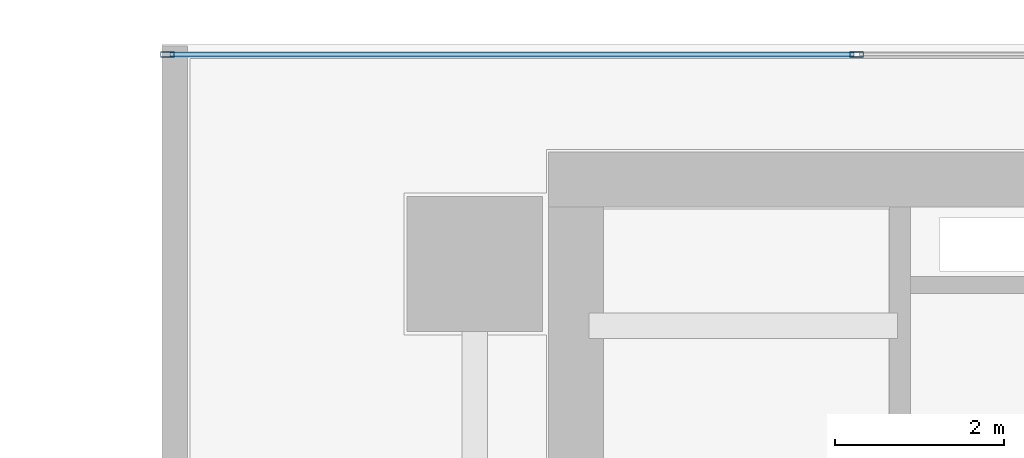
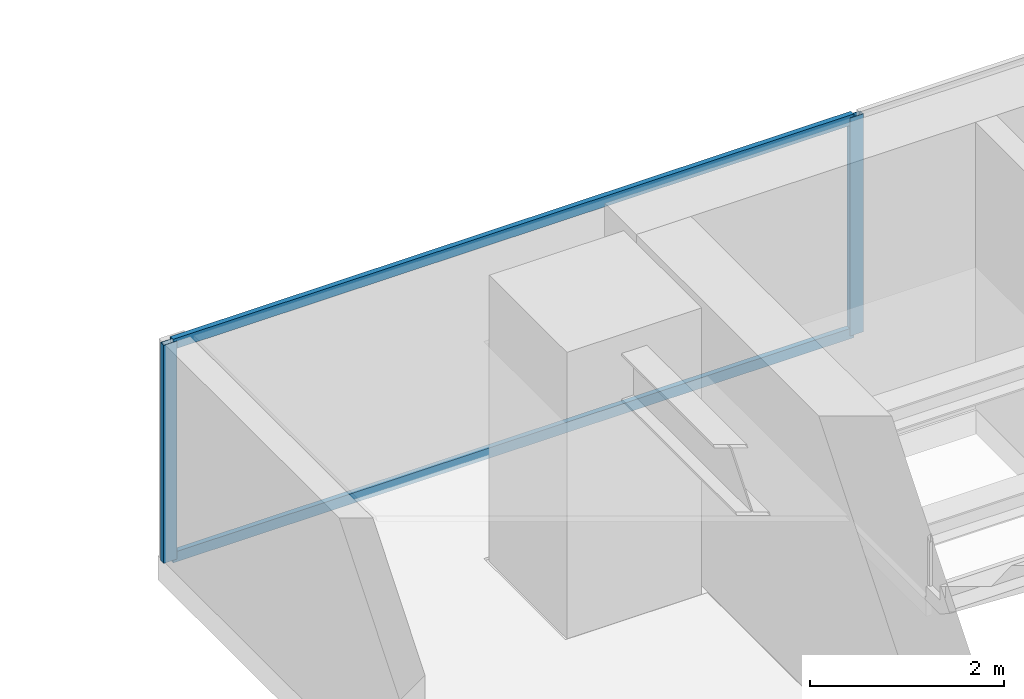
# One storey, part 20 of 36: 4 members, 1 element without a shape of its own.
"""IFC4 building model written with IfcOpenShell, lengths in metres."""

from ifc_helpers import new_model, si_unit, direction, frame, origin, origin_2d, place, context, subcontext, project, spatial, hollow_rectangle, extrude, source, transform, mapped, material, layer, layer_set, material_profile, profile_set, type_object, element, aggregate, save


model = new_model("IFC4")

# Units and contexts
model_context = context("Model", 3, precision=1e-05, world=origin(), true_north=direction((0.0, 1.0)))
body_context = subcontext(model_context, "Body", "Model", "MODEL_VIEW")
ifc_project = project(units=[si_unit("LENGTHUNIT", "METRE"), si_unit("AREAUNIT", "SQUARE_METRE"), si_unit("VOLUMEUNIT", "CUBIC_METRE"), si_unit("PLANEANGLEUNIT", "RADIAN"), si_unit("MASSUNIT", "GRAM", prefix="KILO")], contexts=[model_context])

# Site, building, storey
site_placement = place(None, origin())
site = spatial("IfcSite", under=ifc_project, at=site_placement, CompositionType="ELEMENT")
building_placement = place(site_placement, origin())
building = spatial("IfcBuilding", under=site, at=building_placement, Name="Sumidabori Civic Tower", CompositionType="ELEMENT")
storey_placement = place(building_placement, frame((0.0, 0.0, 77.60009765625)))
storey = spatial("IfcBuildingStorey", under=building, at=storey_placement, Name="L19", CompositionType="ELEMENT", Elevation=77.60009765625)

# Curtain wall, members
ifc_material = material(Name="Anodised Bronze Aluminium AW-6063-T6", Category="aluminium")
ifc_layer = layer(ifc_material, 0.179931640625, Name="Anodised Bronze Aluminium AW-6063-T6")
ifc_layer_set = layer_set([ifc_layer], Name="Anodised Bronze Aluminium AW-6063-T6")
curtain_wall_type = type_object("IfcCurtainWallType", Name="CW-SYS-3", PredefinedType="NOTDEFINED", material=ifc_layer_set)
curtain_wall_placement = place(storey_placement, origin())
curtain_wall = element("IfcCurtainWall", 1, at=curtain_wall_placement, inside=storey, type_object=curtain_wall_type, Name="Curtain Wall CW:L19:R07", PredefinedType="NOTDEFINED")
ifc_material_profile_1 = material_profile(ifc_material, hollow_rectangle(XDim=0.06494140625, YDim=0.159912109375, WallThickness=0.0048828125, at=origin_2d()), Name="ALU MULLION 160x65")
ifc_profile_set_1 = profile_set([ifc_material_profile_1], Name="Anodised Bronze Aluminium AW-6063-T6")
member_type_1 = type_object("IfcMemberType", Name="CW-MUL-160", PredefinedType="MULLION", material=ifc_profile_set_1)
shared_shape_1 = source(origin(), body_context, "Body", "SweptSolid", [
    extrude(hollow_rectangle(XDim=0.06494140625, YDim=0.159912109375, WallThickness=0.0048828125, at=origin_2d()), origin(), (0.0, 0.0, 1.0), 2.739990234375),
])
member_1_placement = place(storey_placement, frame((-12.281982421875, 25.280029296875, 0.0), z_axis=(0.0, 0.0, 1.0), x_axis=(0.0, -1.0, 0.0)))
member_1 = element("IfcMember", 2, at=member_1_placement, type_object=member_type_1, Name="CW-3 mullion 5", PredefinedType="MULLION", context=body_context, shape_type="MappedRepresentation", body=[
    mapped(shared_shape_1, transform((0.0, 0.0, 0.0), x_axis=(1.0, 0.0, 0.0), y_axis=(0.0, 1.0, 0.0), z_axis=(0.0, 0.0, 1.0), scale=1.0)),
])
member_2_placement = place(storey_placement, frame((-20.4375, 25.280029296875, 0.0), z_axis=(0.0, 0.0, 1.0), x_axis=(0.0, -1.0, 0.0)))
member_2 = element("IfcMember", 3, at=member_2_placement, type_object=member_type_1, Name="CW-3 mullion 6", PredefinedType="MULLION", context=body_context, shape_type="MappedRepresentation", body=[
    mapped(shared_shape_1, transform((0.0, 0.0, 0.0), x_axis=(1.0, 0.0, 0.0), y_axis=(0.0, 1.0, 0.0), z_axis=(0.0, 0.0, 1.0), scale=1.0)),
])
ifc_material_profile_2 = material_profile(ifc_material, hollow_rectangle(XDim=0.06005859375, YDim=0.1298828125, WallThickness=0.0048828125, at=origin_2d()), Name="ALU TRANSOM 130x60")
ifc_profile_set_2 = profile_set([ifc_material_profile_2], Name="Anodised Bronze Aluminium AW-6063-T6")
member_type_2 = type_object("IfcMemberType", Name="CW-TRN-130", PredefinedType="USERDEFINED", material=ifc_profile_set_2)
shared_shape_2 = source(origin(), body_context, "Body", "SweptSolid", [
    extrude(hollow_rectangle(XDim=0.06005859375, YDim=0.1298828125, WallThickness=0.0048828125, at=origin_2d()), origin(), (0.0, 0.0, 1.0), 8.090576171875),
])
member_3_placement = place(storey_placement, frame((-12.314453125, 25.280029296875, 0.02978515625), z_axis=(-1.0, 0.0, 0.0), x_axis=(0.0, -1.0, 0.0)))
member_3 = element("IfcMember", 4, at=member_3_placement, type_object=member_type_2, Name="CW-3 transom 5.1", ObjectType="TRANSOM", PredefinedType="USERDEFINED", context=body_context, shape_type="MappedRepresentation", body=[
    mapped(shared_shape_2, transform((0.0, 0.0, 0.0), x_axis=(1.0, 0.0, 0.0), y_axis=(0.0, 1.0, 0.0), z_axis=(0.0, 0.0, 1.0), scale=1.0)),
])
member_4_placement = place(storey_placement, frame((-12.314453125, 25.280029296875, 2.7099609375), z_axis=(-1.0, 0.0, 0.0), x_axis=(0.0, -1.0, 0.0)))
member_4 = element("IfcMember", 5, at=member_4_placement, type_object=member_type_2, Name="CW-3 transom 5.2", ObjectType="TRANSOM", PredefinedType="USERDEFINED", context=body_context, shape_type="MappedRepresentation", body=[
    mapped(shared_shape_2, transform((0.0, 0.0, 0.0), x_axis=(1.0, 0.0, 0.0), y_axis=(0.0, 1.0, 0.0), z_axis=(0.0, 0.0, 1.0), scale=1.0)),
])
aggregate(curtain_wall, [member_1, member_2, member_3, member_4])

save(model, "model.ifc")
